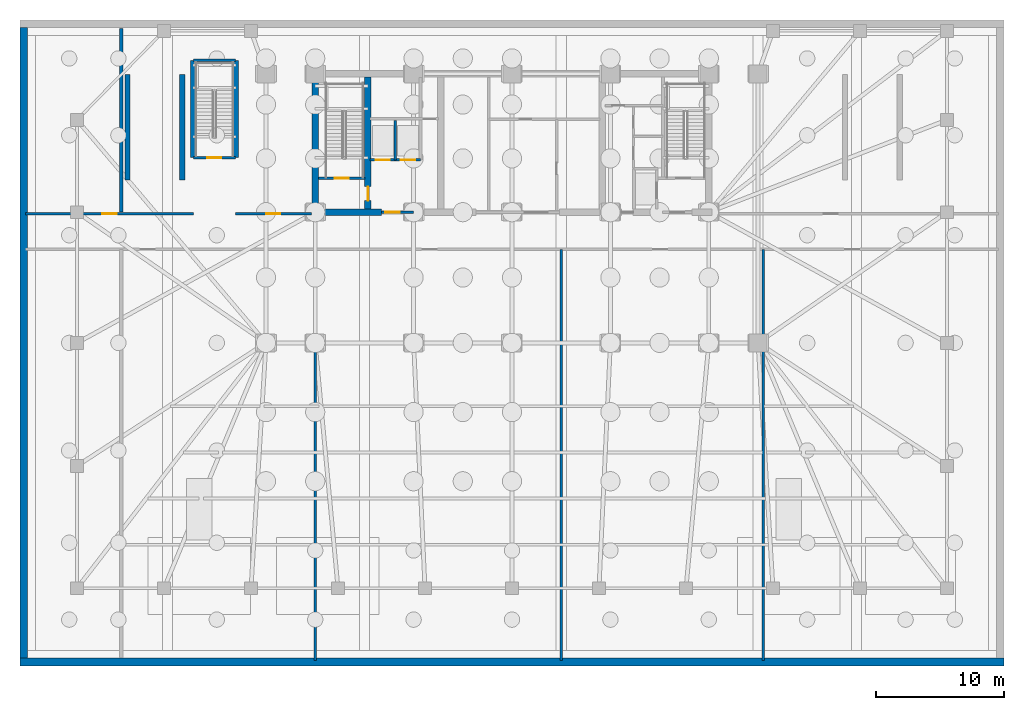
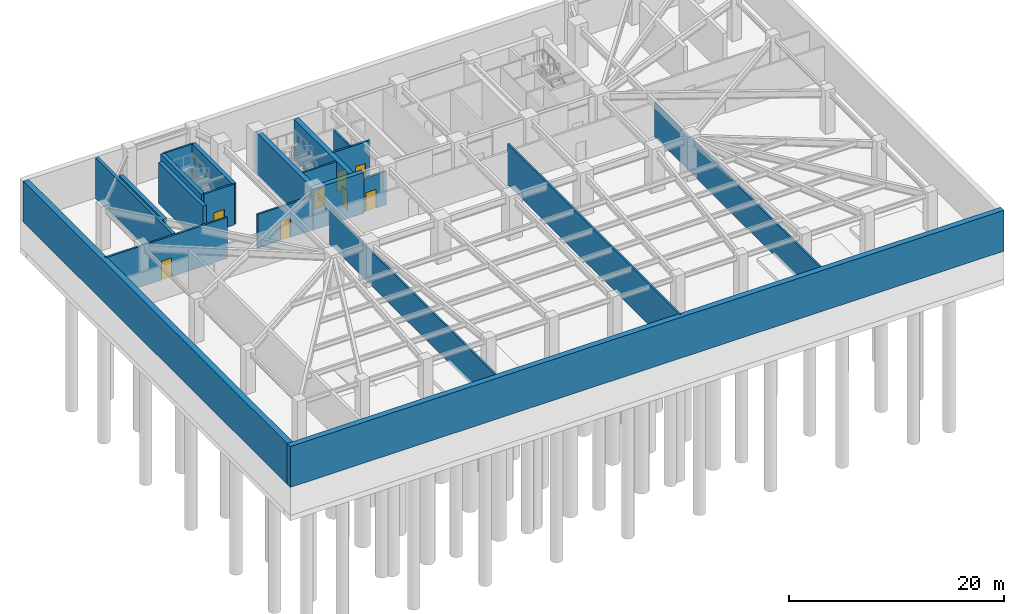
# One storey, part 4 of 9: 21 walls, 8 doors, 8 openings.
"""IFC4 building model written with IfcOpenShell, lengths in metres."""

from ifc_helpers import new_model, si_unit, direction, frame, frame_2d, origin, place, context, subcontext, project, spatial, rectangle, extrude, material, layer, layer_set, type_object, element, fill, save


model = new_model("IFC4")

# Units and contexts
model_context = context("Model", 3, precision=1e-05, world=origin(), true_north=direction((0.0, 1.0)))
body_context = subcontext(model_context, "Body", "Model", "MODEL_VIEW")
ifc_project = project(units=[si_unit("LENGTHUNIT", "METRE"), si_unit("AREAUNIT", "SQUARE_METRE"), si_unit("VOLUMEUNIT", "CUBIC_METRE"), si_unit("PLANEANGLEUNIT", "RADIAN"), si_unit("MASSUNIT", "GRAM", prefix="KILO")], contexts=[model_context])

# Site, building, storey
site_placement = place(None, origin())
site = spatial("IfcSite", under=ifc_project, at=site_placement, CompositionType="ELEMENT")
building_placement = place(site_placement, origin())
building = spatial("IfcBuilding", under=site, at=building_placement, Name="Yelkora Congress Tower", CompositionType="ELEMENT")
storey_placement = place(building_placement, frame((0.0, 0.0, -10.0)))
storey = spatial("IfcBuildingStorey", under=building, at=storey_placement, Name="B02", CompositionType="ELEMENT", Elevation=-10.0)

# Walls
ifc_material_1 = material(Name="Concrete C50/60", Category="concrete")
ifc_layer_1 = layer(ifc_material_1, 0.300048828125)
ifc_layer_set_1 = layer_set([ifc_layer_1], Name="Concrete C50/60")
wall_type_1 = type_object("IfcWallType", Name="WALL-CORE-INT-300", PredefinedType="SHEAR", material=ifc_layer_set_1)
wall_1_placement = place(storey_placement, frame((7.89990234375, 35.39990234375, 0.0), z_axis=(0.0, 0.0, 1.0), x_axis=(0.0, 1.0, 0.0)))
element("IfcWall", 1, at=wall_1_placement, inside=storey, type_object=wall_type_1, Name="B02 West Ramp Support Shear Wall N", PredefinedType="SHEAR", context=body_context, shape_type="SweptSolid", body=[
    extrude(rectangle(XDim=14.35009765625, YDim=0.300048828125, at=frame_2d((7.175048828125, 0.0))), origin(), (0.0, 0.0, 1.0), 4.64990234375),
])
ifc_layer_2 = layer(ifc_material_1, 0.39990234375)
ifc_layer_set_2 = layer_set([ifc_layer_2], Name="Concrete C50/60")
wall_type_2 = type_object("IfcWallType", Name="WALL-CORE-INT-400", PredefinedType="SHEAR", material=ifc_layer_set_2)
for number, where, z_axis, x_axis, name in (
    (2, (8.39990234375, 37.89990234375, 0.0), (0.0, 0.0, 1.0), (0.0, 1.0, 0.0), "B02 STP1 West Shear Wall"),
    (3, (12.659912109375, 37.89990234375, 0.0), (0.0, 0.0, 1.0), (0.0, 1.0, 0.0), "B02 STP1 East Shear Wall"),
):
    element("IfcWall", number, at=place(storey_placement, frame(where, z_axis=z_axis, x_axis=x_axis)), inside=storey, type_object=wall_type_2, Name=name, PredefinedType="SHEAR", context=body_context, shape_type="SweptSolid", body=[
        extrude(rectangle(XDim=8.25, YDim=0.39990234375, at=frame_2d((4.125, 0.0))), origin(), (0.0, 0.0, 1.0), 4.64990234375),
    ])
for number, where, z_axis, x_axis, name in (
    (4, (13.5, 39.64990234375, 0.0), (0.0, 0.0, 1.0), (0.0, 1.0, 0.0), "B02 STB1 W Shear Wall"),
    (5, (16.860107421875, 39.64990234375, 0.0), (0.0, 0.0, 1.0), (0.0, 1.0, 0.0), "B02 STB1 E Shear Wall"),
):
    element("IfcWall", number, at=place(storey_placement, frame(where, z_axis=z_axis, x_axis=x_axis)), inside=storey, type_object=wall_type_2, Name=name, PredefinedType="SHEAR", context=body_context, shape_type="SweptSolid", body=[
        extrude(rectangle(XDim=7.60009765625, YDim=0.39990234375, at=frame_2d((3.800048828125, 0.0))), origin(), (0.0, 0.0, 1.0), 4.64990234375),
    ])
ifc_material_2 = material(Name="Concrete C60/75", Category="concrete")
ifc_layer_3 = layer(ifc_material_2, 0.5)
ifc_layer_set_3 = layer_set([ifc_layer_3], Name="Concrete C60/75")
wall_type_3 = type_object("IfcWallType", Name="WALL-CORE-INT-500", PredefinedType="SHEAR", material=ifc_layer_set_3)
wall_2_placement = place(storey_placement, frame((22.7900390625, 35.39990234375, 0.0), z_axis=(0.0, 0.0, 1.0), x_axis=(1.0, 0.0, 0.0)))
element("IfcWall", 6, at=wall_2_placement, inside=storey, type_object=wall_type_3, Name="B02 Rear Core South-West Shear Wall", PredefinedType="SHEAR", context=body_context, shape_type="SweptSolid", body=[
    extrude(rectangle(XDim=5.409912109375, YDim=0.5, at=frame_2d((2.705078125, 0.0))), origin(), (0.0, 0.0, 1.0), 4.64990234375),
])
wall_3_placement = place(storey_placement, frame((23.0400390625, 35.64990234375, 0.0), z_axis=(0.0, 0.0, 1.0), x_axis=(0.0, 1.0, 0.0)))
element("IfcWall", 7, at=wall_3_placement, inside=storey, type_object=wall_type_3, Name="B02 Rear Core Cross Shear Wall W", PredefinedType="SHEAR", context=body_context, shape_type="SweptSolid", body=[
    extrude(rectangle(XDim=10.300048828125, YDim=0.5, at=frame_2d((5.14990234375, 0.0))), origin(), (0.0, 0.0, 1.0), 4.64990234375),
])

# Wall, opening, door
wall_4_placement = place(storey_placement, frame((27.14990234375, 35.64990234375, 0.0), z_axis=(0.0, 0.0, 1.0), x_axis=(0.0, 1.0, 0.0)))
wall_4 = element("IfcWall", 8, at=wall_4_placement, inside=storey, type_object=wall_type_3, Name="B02 Rear Core Cross Shear Wall C1", PredefinedType="SHEAR", context=body_context, shape_type="SweptSolid", body=[
    extrude(rectangle(XDim=10.300048828125, YDim=0.5, at=frame_2d((5.14990234375, 0.0))), origin(), (0.0, 0.0, 1.0), 4.64990234375),
])
opening_1_placement = place(wall_4_placement, frame((0.64990234375, 0.0, 0.0)))
opening_1 = element("IfcOpeningElement", 9, at=opening_1_placement, cuts=wall_4, Name="Opening DR-110F9", PredefinedType="OPENING", context=body_context, shape_type="SweptSolid", body=[
    extrude(rectangle(XDim=1.10009765625, YDim=2.14990234375, at=frame_2d((0.550048828125, 1.074951171875))), frame((0.0, 0.260009765625, 0.0), z_axis=(0.0, -1.0, 0.0), x_axis=(1.0, 0.0, 0.0)), (0.0, 0.0, 1.0), 0.52001953125),
])
ifc_material_3 = material(Name="Galvanised steel fire door leaf", Category="steel")
door_type_1 = type_object("IfcDoorType", Name="DOOR-FD90-1100", OperationType="NOTDEFINED", PredefinedType="DOOR", material=ifc_material_3)
door_1_placement = place(opening_1_placement, origin())
door_1 = element("IfcDoor", 10, at=door_1_placement, inside=storey, type_object=door_type_1, Name="B02 Firefighting Stair Transfer Door", OperationType="SINGLE_SWING_LEFT", OverallHeight=2.14990234375, OverallWidth=1.10009765625, PredefinedType="DOOR", context=body_context, shape_type="SweptSolid", body=[
    extrude(rectangle(XDim=1.10009765625, YDim=2.14990234375, at=frame_2d((0.550048828125, 1.074951171875))), frame((0.0, 0.02490234375, 0.0), z_axis=(0.0, -1.0, 0.0), x_axis=(1.0, 0.0, 0.0)), (0.0, 0.0, 1.0), 0.050048828125),
])
fill(opening_1, door_1)

ifc_material_4 = material(Name="Autoclaved aerated concrete blockwork", Category="masonry")
ifc_layer_4 = layer(ifc_material_4, 0.199951171875)
ifc_layer_set_4 = layer_set([ifc_layer_4], Name="Autoclaved aerated concrete blockwork")
wall_type_4 = type_object("IfcWallType", Name="WALL-INT-200-R120", PredefinedType="PARTITIONING", material=ifc_layer_set_4)
wall_5_placement = place(storey_placement, frame((23.300048828125, 38.050048828125, 0.0), z_axis=(0.0, 0.0, 1.0), x_axis=(1.0, 0.0, 0.0)))
wall_5 = element("IfcWall", 11, at=wall_5_placement, inside=storey, type_object=wall_type_4, Name="B02 Stair ST-01 Enclosure Wall", PredefinedType="PARTITIONING", context=body_context, shape_type="SweptSolid", body=[
    extrude(rectangle(XDim=3.619873046875, YDim=0.199951171875, at=frame_2d((1.81005859375, 0.0))), origin(), (0.0, 0.0, 1.0), 4.64990234375),
])
opening_2_placement = place(wall_5_placement, frame((1.260009765625, 0.0, 0.0)))
opening_2 = element("IfcOpeningElement", 12, at=opening_2_placement, cuts=wall_5, Name="Opening DR-110F9", PredefinedType="OPENING", context=body_context, shape_type="SweptSolid", body=[
    extrude(rectangle(XDim=1.10009765625, YDim=2.14990234375, at=frame_2d((0.550048828125, 1.074951171875))), frame((0.0, 0.10986328125, 0.0), z_axis=(0.0, -1.0, 0.0), x_axis=(1.0, 0.0, 0.0)), (0.0, 0.0, 1.0), 0.219970703125),
])
door_2_placement = place(opening_2_placement, origin())
door_2 = element("IfcDoor", 13, at=door_2_placement, inside=storey, type_object=door_type_1, Name="B02 Stair ST-01 Entry Door", OperationType="SINGLE_SWING_LEFT", OverallHeight=2.14990234375, OverallWidth=1.10009765625, PredefinedType="DOOR", context=body_context, shape_type="SweptSolid", body=[
    extrude(rectangle(XDim=1.10009765625, YDim=2.14990234375, at=frame_2d((0.550048828125, 1.074951171875))), frame((0.0, 0.02490234375, 0.0), z_axis=(0.0, -1.0, 0.0), x_axis=(1.0, 0.0, 0.0)), (0.0, 0.0, 1.0), 0.050048828125),
])
fill(opening_2, door_2)

wall_6_placement = place(storey_placement, frame((28.219970703125, 35.39990234375, 0.0), z_axis=(0.0, 0.0, 1.0), x_axis=(1.0, 0.0, 0.0)))
wall_6 = element("IfcWall", 14, at=wall_6_placement, inside=storey, type_object=wall_type_4, Name="B02 Firefighting Lobby South Wall", PredefinedType="PARTITIONING", context=body_context, shape_type="SweptSolid", body=[
    extrude(rectangle(XDim=2.5, YDim=0.199951171875, at=frame_2d((1.25, 0.0))), origin(), (0.0, 0.0, 1.0), 3.844970703125),
])
opening_3_placement = place(wall_6_placement, frame((0.300048828125, 0.0, 0.0)))
opening_3 = element("IfcOpeningElement", 15, at=opening_3_placement, cuts=wall_6, Name="Opening DR-110F9", PredefinedType="OPENING", context=body_context, shape_type="SweptSolid", body=[
    extrude(rectangle(XDim=1.10009765625, YDim=2.14990234375, at=frame_2d((0.550048828125, 1.074951171875))), frame((0.0, 0.10986328125, 0.0), z_axis=(0.0, -1.0, 0.0), x_axis=(1.0, 0.0, 0.0)), (0.0, 0.0, 1.0), 0.219970703125),
])
door_3_placement = place(opening_3_placement, origin())
door_3 = element("IfcDoor", 16, at=door_3_placement, inside=storey, type_object=door_type_1, Name="B02 Firefighting Lobby Corridor Door", OperationType="SINGLE_SWING_RIGHT", OverallHeight=2.14990234375, OverallWidth=1.10009765625, PredefinedType="DOOR", context=body_context, shape_type="SweptSolid", body=[
    extrude(rectangle(XDim=1.10009765625, YDim=2.14990234375, at=frame_2d((0.550048828125, 1.074951171875))), frame((0.0, 0.02490234375, 0.0), z_axis=(0.0, -1.0, 0.0), x_axis=(1.0, 0.0, 0.0)), (0.0, 0.0, 1.0), 0.050048828125),
])
fill(opening_3, door_3)

# Wall, openings, doors
wall_7_placement = place(storey_placement, frame((27.320068359375, 39.47998046875, 0.0), z_axis=(0.0, 0.0, 1.0), x_axis=(1.0, 0.0, 0.0)))
wall_7 = element("IfcWall", 17, at=wall_7_placement, inside=storey, type_object=wall_type_4, Name="B02 Firefighting Lift Front Wall", PredefinedType="PARTITIONING", context=body_context, shape_type="SweptSolid", body=[
    extrude(rectangle(XDim=3.93994140625, YDim=0.199951171875, at=frame_2d((1.969970703125, 0.0))), origin(), (0.0, 0.0, 1.0), 4.64990234375),
])
opening_4_placement = place(wall_7_placement, frame((0.449951171875, 0.0, 0.0)))
opening_4 = element("IfcOpeningElement", 18, at=opening_4_placement, cuts=wall_7, Name="Opening LD-FF11", PredefinedType="OPENING", context=body_context, shape_type="SweptSolid", body=[
    extrude(rectangle(XDim=1.10009765625, YDim=2.199951171875, at=frame_2d((0.550048828125, 1.10009765625))), frame((0.0, 0.10986328125, 0.0), z_axis=(0.0, -1.0, 0.0), x_axis=(1.0, 0.0, 0.0)), (0.0, 0.0, 1.0), 0.219970703125),
])
opening_5_placement = place(wall_7_placement, frame((2.409912109375, 0.0, 0.0)))
opening_5 = element("IfcOpeningElement", 19, at=opening_5_placement, cuts=wall_7, Name="Opening LD-FF11", PredefinedType="OPENING", context=body_context, shape_type="SweptSolid", body=[
    extrude(rectangle(XDim=1.10009765625, YDim=2.199951171875, at=frame_2d((0.550048828125, 1.10009765625))), frame((0.0, 0.10986328125, 0.0), z_axis=(0.0, -1.0, 0.0), x_axis=(1.0, 0.0, 0.0)), (0.0, 0.0, 1.0), 0.219970703125),
])
ifc_material_5 = material(Name="Brushed stainless steel 316L landing door", Category="steel")
door_type_2 = type_object("IfcDoorType", Name="DOOR-LIFT-FF-1100", OperationType="DOUBLE_DOOR_SLIDING", PredefinedType="DOOR", material=ifc_material_5)
door_4_placement = place(opening_4_placement, origin())
door_4 = element("IfcDoor", 20, at=door_4_placement, inside=storey, type_object=door_type_2, Name="Lift Landing Door LF-FF1 B02", OperationType="DOUBLE_DOOR_SLIDING", OverallHeight=2.199951171875, OverallWidth=1.10009765625, PredefinedType="DOOR", context=body_context, shape_type="SweptSolid", body=[
    extrude(rectangle(XDim=1.10009765625, YDim=2.199951171875, at=frame_2d((0.550048828125, 1.10009765625))), frame((0.0, 0.02490234375, 0.0), z_axis=(0.0, -1.0, 0.0), x_axis=(1.0, 0.0, 0.0)), (0.0, 0.0, 1.0), 0.050048828125),
])
fill(opening_4, door_4)
door_5_placement = place(opening_5_placement, origin())
door_5 = element("IfcDoor", 21, at=door_5_placement, inside=storey, type_object=door_type_2, Name="Lift Landing Door LF-FF2 B02", OperationType="DOUBLE_DOOR_SLIDING", OverallHeight=2.199951171875, OverallWidth=1.10009765625, PredefinedType="DOOR", context=body_context, shape_type="SweptSolid", body=[
    extrude(rectangle(XDim=1.10009765625, YDim=2.199951171875, at=frame_2d((0.550048828125, 1.10009765625))), frame((0.0, 0.02490234375, 0.0), z_axis=(0.0, -1.0, 0.0), x_axis=(1.0, 0.0, 0.0)), (0.0, 0.0, 1.0), 0.050048828125),
])
fill(opening_5, door_5)

# Walls
wall_8_placement = place(storey_placement, frame((29.300048828125, 39.47998046875, 0.0), z_axis=(0.0, 0.0, 1.0), x_axis=(0.0, 1.0, 0.0)))
element("IfcWall", 22, at=wall_8_placement, inside=storey, type_object=wall_type_4, Name="B02 Partition Wall 4", PredefinedType="PARTITIONING", context=body_context, shape_type="SweptSolid", body=[
    extrude(rectangle(XDim=3.070068359375, YDim=0.199951171875, at=frame_2d((1.53515625, 0.0))), origin(), (0.0, 0.0, 1.0), 4.64990234375),
])
wall_9_placement = place(storey_placement, frame((13.550048828125, 47.25, 0.0), z_axis=(0.0, 0.0, 1.0), x_axis=(1.0, 0.0, 0.0)))
element("IfcWall", 23, at=wall_9_placement, inside=storey, type_object=wall_type_4, Name="B02 Partition Wall 19", PredefinedType="PARTITIONING", context=body_context, shape_type="SweptSolid", body=[
    extrude(rectangle(XDim=3.25, YDim=0.199951171875, at=frame_2d((1.625, 0.0))), origin(), (0.0, 0.0, 1.0), 4.64990234375),
])

# Wall, opening, door
wall_10_placement = place(storey_placement, frame((13.550048828125, 39.64990234375, 0.0), z_axis=(0.0, 0.0, 1.0), x_axis=(1.0, 0.0, 0.0)))
wall_10 = element("IfcWall", 24, at=wall_10_placement, inside=storey, type_object=wall_type_4, Name="B02 Partition Wall 20", PredefinedType="PARTITIONING", context=body_context, shape_type="SweptSolid", body=[
    extrude(rectangle(XDim=3.25, YDim=0.199951171875, at=frame_2d((1.625, 0.0))), origin(), (0.0, 0.0, 1.0), 4.64990234375),
])
opening_6_placement = place(wall_10_placement, frame((1.074951171875, 0.0, 0.0)))
opening_6 = element("IfcOpeningElement", 25, at=opening_6_placement, cuts=wall_10, Name="Opening DR-110F9", PredefinedType="OPENING", context=body_context, shape_type="SweptSolid", body=[
    extrude(rectangle(XDim=1.10009765625, YDim=2.14990234375, at=frame_2d((0.550048828125, 1.074951171875))), frame((0.0, 0.10986328125, 0.0), z_axis=(0.0, -1.0, 0.0), x_axis=(1.0, 0.0, 0.0)), (0.0, 0.0, 1.0), 0.219970703125),
])
door_6_placement = place(opening_6_placement, origin())
door_6 = element("IfcDoor", 26, at=door_6_placement, inside=storey, type_object=door_type_1, Name="B02 Interior Door 15", OperationType="SINGLE_SWING_LEFT", OverallHeight=2.14990234375, OverallWidth=1.10009765625, PredefinedType="DOOR", context=body_context, shape_type="SweptSolid", body=[
    extrude(rectangle(XDim=1.10009765625, YDim=2.14990234375, at=frame_2d((0.550048828125, 1.074951171875))), frame((0.0, 0.02490234375, 0.0), z_axis=(0.0, -1.0, 0.0), x_axis=(1.0, 0.0, 0.0)), (0.0, 0.0, 1.0), 0.050048828125),
])
fill(opening_6, door_6)

wall_11_placement = place(storey_placement, frame((0.419921875, 35.280029296875, 0.0), z_axis=(0.0, 0.0, 1.0), x_axis=(1.0, 0.0, 0.0)))
wall_11 = element("IfcWall", 27, at=wall_11_placement, inside=storey, type_object=wall_type_4, Name="B02 Partition Wall 21", PredefinedType="PARTITIONING", context=body_context, shape_type="SweptSolid", body=[
    extrude(rectangle(XDim=13.130126953125, YDim=0.199951171875, at=frame_2d((6.56494140625, 0.0))), origin(), (0.0, 0.0, 1.0), 4.64990234375),
])
opening_7_placement = place(wall_11_placement, frame((6.014892578125, 0.0, 0.0)))
opening_7 = element("IfcOpeningElement", 28, at=opening_7_placement, cuts=wall_11, Name="Opening DR-110F9", PredefinedType="OPENING", context=body_context, shape_type="SweptSolid", body=[
    extrude(rectangle(XDim=1.10009765625, YDim=2.14990234375, at=frame_2d((0.550048828125, 1.074951171875))), frame((0.0, 0.10986328125, 0.0), z_axis=(0.0, -1.0, 0.0), x_axis=(1.0, 0.0, 0.0)), (0.0, 0.0, 1.0), 0.219970703125),
])
door_7_placement = place(opening_7_placement, origin())
door_7 = element("IfcDoor", 29, at=door_7_placement, inside=storey, type_object=door_type_1, Name="B02 Interior Door 16", OperationType="SINGLE_SWING_RIGHT", OverallHeight=2.14990234375, OverallWidth=1.10009765625, PredefinedType="DOOR", context=body_context, shape_type="SweptSolid", body=[
    extrude(rectangle(XDim=1.10009765625, YDim=2.14990234375, at=frame_2d((0.550048828125, 1.074951171875))), frame((0.0, 0.02490234375, 0.0), z_axis=(0.0, -1.0, 0.0), x_axis=(1.0, 0.0, 0.0)), (0.0, 0.0, 1.0), 0.050048828125),
])
fill(opening_7, door_7)

wall_12_placement = place(storey_placement, frame((16.800048828125, 35.280029296875, 0.0), z_axis=(0.0, 0.0, 1.0), x_axis=(1.0, 0.0, 0.0)))
wall_12 = element("IfcWall", 30, at=wall_12_placement, inside=storey, type_object=wall_type_4, Name="B02 Partition Wall 22", PredefinedType="PARTITIONING", context=body_context, shape_type="SweptSolid", body=[
    extrude(rectangle(XDim=5.949951171875, YDim=0.199951171875, at=frame_2d((2.97509765625, 0.0))), origin(), (0.0, 0.0, 1.0), 3.844970703125),
])
opening_8_placement = place(wall_12_placement, frame((2.425048828125, 0.0, 0.0)))
opening_8 = element("IfcOpeningElement", 31, at=opening_8_placement, cuts=wall_12, Name="Opening DR-110F9", PredefinedType="OPENING", context=body_context, shape_type="SweptSolid", body=[
    extrude(rectangle(XDim=1.10009765625, YDim=2.14990234375, at=frame_2d((0.550048828125, 1.074951171875))), frame((0.0, 0.10986328125, 0.0), z_axis=(0.0, -1.0, 0.0), x_axis=(1.0, 0.0, 0.0)), (0.0, 0.0, 1.0), 0.219970703125),
])
door_8_placement = place(opening_8_placement, origin())
door_8 = element("IfcDoor", 32, at=door_8_placement, inside=storey, type_object=door_type_1, Name="B02 Interior Door 17", OperationType="SINGLE_SWING_LEFT", OverallHeight=2.14990234375, OverallWidth=1.10009765625, PredefinedType="DOOR", context=body_context, shape_type="SweptSolid", body=[
    extrude(rectangle(XDim=1.10009765625, YDim=2.14990234375, at=frame_2d((0.550048828125, 1.074951171875))), frame((0.0, 0.02490234375, 0.0), z_axis=(0.0, -1.0, 0.0), x_axis=(1.0, 0.0, 0.0)), (0.0, 0.0, 1.0), 0.050048828125),
])
fill(opening_8, door_8)

# Walls
wall_13_placement = place(storey_placement, frame((23.0400390625, 0.419921875, 0.0), z_axis=(0.0, 0.0, 1.0), x_axis=(0.0, 1.0, 0.0)))
element("IfcWall", 33, at=wall_13_placement, inside=storey, type_object=wall_type_4, Name="B02 Partition Wall 25", PredefinedType="PARTITIONING", context=body_context, shape_type="SweptSolid", body=[
    extrude(rectangle(XDim=32.080078125, YDim=0.199951171875, at=frame_2d((16.0400390625, 0.0))), origin(), (0.0, 0.0, 1.0), 3.844970703125),
])
wall_14_placement = place(storey_placement, frame((42.239990234375, 0.419921875, 0.0), z_axis=(0.0, 0.0, 1.0), x_axis=(0.0, 1.0, 0.0)))
element("IfcWall", 34, at=wall_14_placement, inside=storey, type_object=wall_type_4, Name="B02 Partition Wall 26", PredefinedType="PARTITIONING", context=body_context, shape_type="SweptSolid", body=[
    extrude(rectangle(XDim=32.080078125, YDim=0.199951171875, at=frame_2d((16.0400390625, 0.0))), origin(), (0.0, 0.0, 1.0), 4.64990234375),
])
wall_15_placement = place(storey_placement, frame((58.0, 0.419921875, 0.0), z_axis=(0.0, 0.0, 1.0), x_axis=(0.0, 1.0, 0.0)))
element("IfcWall", 35, at=wall_15_placement, inside=storey, type_object=wall_type_4, Name="B02 Partition Wall 27", PredefinedType="PARTITIONING", context=body_context, shape_type="SweptSolid", body=[
    extrude(rectangle(XDim=32.080078125, YDim=0.199951171875, at=frame_2d((16.0400390625, 0.0))), origin(), (0.0, 0.0, 1.0), 3.844970703125),
])
ifc_layer_5 = layer(ifc_material_1, 0.60009765625)
ifc_layer_set_5 = layer_set([ifc_layer_5], Name="Concrete C50/60")
wall_type_5 = type_object("IfcWallType", Name="WALL-RET-600", PredefinedType="USERDEFINED", material=ifc_layer_set_5)
wall_16_placement = place(storey_placement, frame((0.0, 0.300048828125, 0.0), z_axis=(0.0, 0.0, 1.0), x_axis=(1.0, 0.0, 0.0)))
element("IfcWall", 36, at=wall_16_placement, inside=storey, type_object=wall_type_5, Name="B02 South Retaining Wall", ObjectType="RETAININGWALL", PredefinedType="USERDEFINED", context=body_context, shape_type="SweptSolid", body=[
    extrude(rectangle(XDim=76.800048828125, YDim=0.60009765625, at=frame_2d((38.39990234375, 0.0))), origin(), (0.0, 0.0, 1.0), 4.64990234375),
])
wall_17_placement = place(storey_placement, frame((0.300048828125, 0.60009765625, 0.0), z_axis=(0.0, 0.0, 1.0), x_axis=(0.0, 1.0, 0.0)))
element("IfcWall", 37, at=wall_17_placement, inside=storey, type_object=wall_type_5, Name="B02 West Retaining Wall", ObjectType="RETAININGWALL", PredefinedType="USERDEFINED", context=body_context, shape_type="SweptSolid", body=[
    extrude(rectangle(XDim=49.199951171875, YDim=0.60009765625, at=frame_2d((24.60009765625, 0.0))), origin(), (0.0, 0.0, 1.0), 4.64990234375),
])

save(model, "model.ifc")
